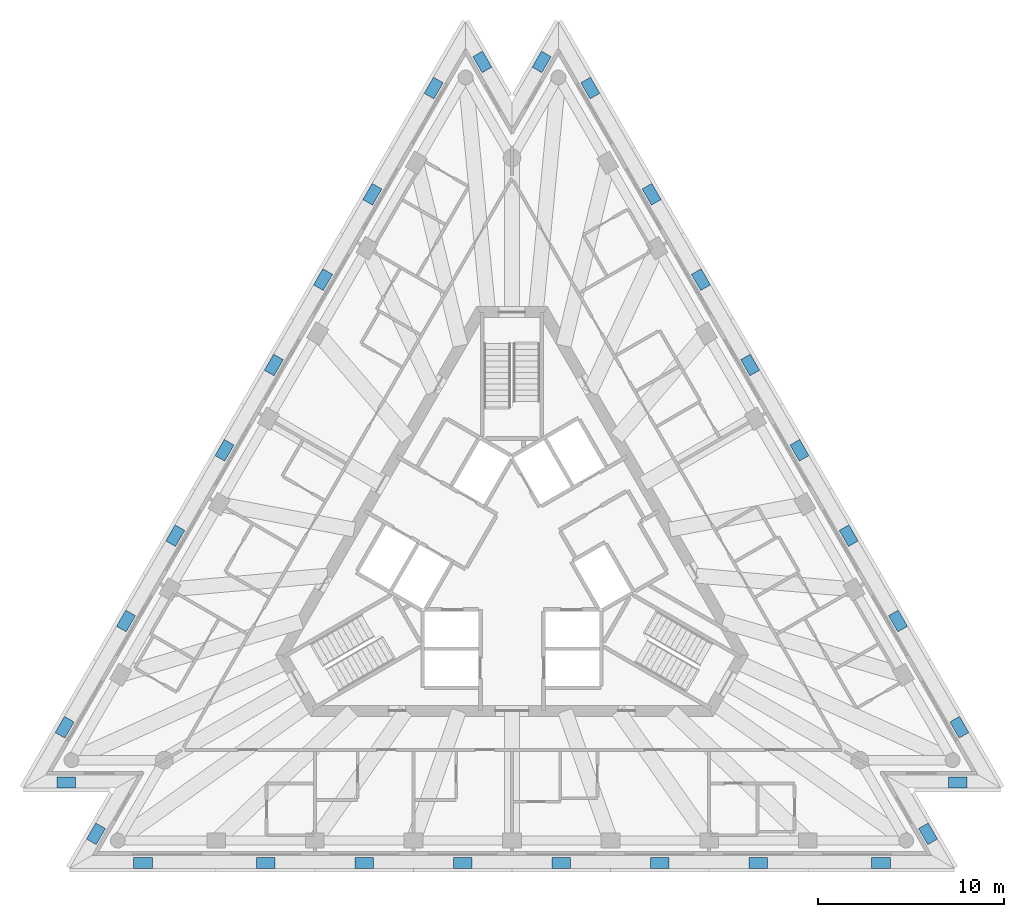
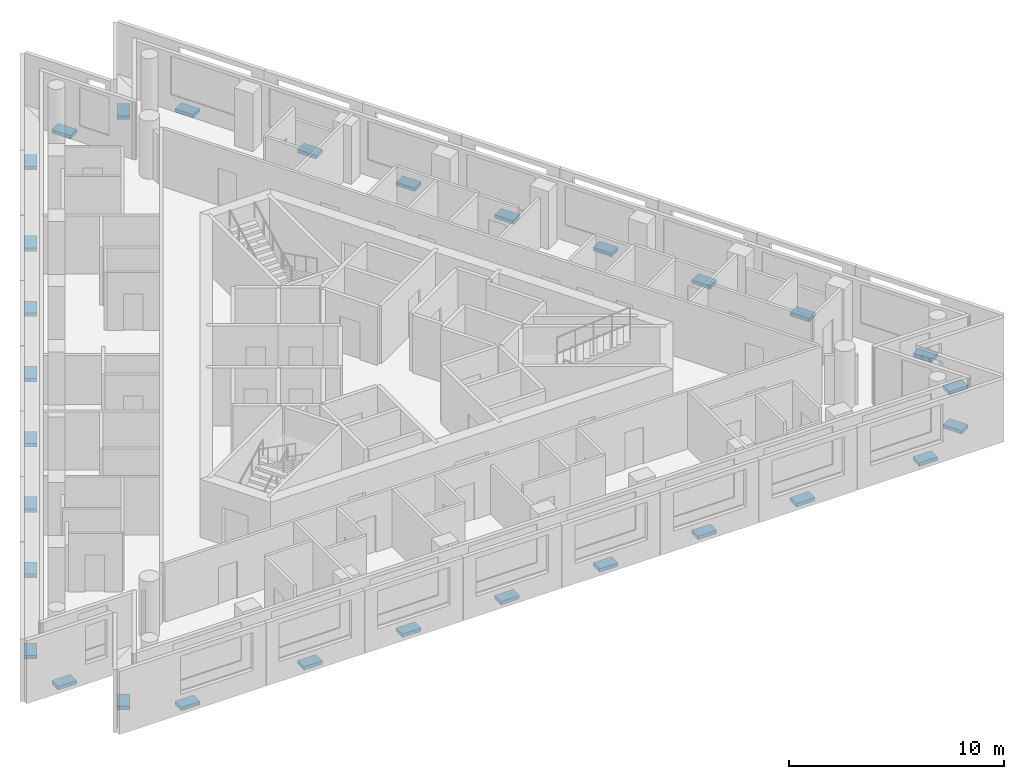
# One storey, part 9 of 11: 30 discrete accessories.
"""IFC4 building model written with IfcOpenShell, lengths in metres."""

import ifcopenshell
import ifcopenshell.guid

model = None  # the IFC model being written
_history = None  # IfcOwnerHistory: only IFC2X3 demands one
_inside = {}  # id of a spatial element -> (the spatial element, [elements in it])
_under = {}  # id of a project, library or spatial element -> (it, [spatial elements below it])
_declared = {}  # id of a project -> (the project, [libraries it declares])
_typed = {}  # id of a type object -> (the type object, [elements of that type])
_made_of = {}  # id of a material, layer set ... -> (it, [elements and type objects made of it])


def new_model(schema):
    """Start an empty IFC model of exactly this schema.

    Asked for "IFC4X3", IfcOpenShell would pick the latest addendum, in which some entities
    have other attributes; the version numbers below select the first issue.
    IFC2X3 requires an IfcOwnerHistory on every rooted entity: one is made here for all.
    """
    global model, _history
    if schema == "IFC4X3":
        model = ifcopenshell.file(schema_version=(4, 3, 0, 0))
    else:
        model = ifcopenshell.file(schema=schema)
    _inside.clear()
    _under.clear()
    _declared.clear()
    _typed.clear()
    _made_of.clear()
    _history = None
    if model.schema == "IFC2X3":
        org = make("IfcOrganization", Name="unknown")
        user = make(
            "IfcPersonAndOrganization",
            ThePerson=make("IfcPerson", FamilyName="unknown"),
            TheOrganization=org,
        )
        app = make(
            "IfcApplication",
            ApplicationDeveloper=org,
            Version="unknown",
            ApplicationFullName="unknown",
            ApplicationIdentifier="unknown",
        )
        _history = make(
            "IfcOwnerHistory",
            OwningUser=user,
            OwningApplication=app,
            ChangeAction="ADDED",
            CreationDate=0,
        )
    return model


def make(cls, **values):
    """One entity of the class cls with the attributes given. An attribute that is None is left unset."""
    return model.create_entity(
        cls, **{name: value for name, value in values.items() if value is not None}
    )


def rooted(cls, **values):
    """An entity with a GlobalId (a new one), such as an element, a storey or a relation."""
    return make(cls, GlobalId=ifcopenshell.guid.new(), OwnerHistory=_history, **values)


def si_unit(unit_type, name, prefix=None):
    """IfcSIUnit, for example si_unit("LENGTHUNIT", "METRE", prefix="MILLI")."""
    return make("IfcSIUnit", UnitType=unit_type, Prefix=prefix, Name=name)


def assignment(units):
    """IfcUnitAssignment: the units of a project."""
    return None if units is None else make("IfcUnitAssignment", Units=units)


def point(xyz):
    """IfcCartesianPoint."""
    return None if xyz is None else make("IfcCartesianPoint", Coordinates=xyz)


def direction(xyz):
    """IfcDirection."""
    return None if xyz is None else make("IfcDirection", DirectionRatios=xyz)


def frame(location, z_axis=None, x_axis=None):
    """IfcAxis2Placement3D, a coordinate frame: its origin and axes. An axis left out is left unset."""
    return make(
        "IfcAxis2Placement3D",
        Location=point(location),
        Axis=direction(z_axis),
        RefDirection=direction(x_axis),
    )


def frame_2d(location, x_axis=None):
    """IfcAxis2Placement2D, a coordinate frame in the plane: its origin and x axis."""
    return make(
        "IfcAxis2Placement2D", Location=point(location), RefDirection=direction(x_axis)
    )


def origin():
    """The frame at (0, 0, 0) with its axes left unset."""
    return frame((0.0, 0.0, 0.0))


def origin_2d():
    """The frame at (0, 0) in the plane with its x axis left unset."""
    return frame_2d((0.0, 0.0))


def place(relative_to, where):
    """IfcLocalPlacement: puts the frame where relative to a parent placement (None: the world)."""
    return make(
        "IfcLocalPlacement", PlacementRelTo=relative_to, RelativePlacement=where
    )


def context(
    kind, dimensions, precision=None, world=None, true_north=None, identifier=None
):
    """IfcGeometricRepresentationContext, for example the 3D "Model" context."""
    return make(
        "IfcGeometricRepresentationContext",
        ContextIdentifier=identifier,
        ContextType=kind,
        CoordinateSpaceDimension=dimensions,
        Precision=precision,
        WorldCoordinateSystem=world,
        TrueNorth=true_north,
    )


def subcontext(parent, identifier, kind, view, scale=None):
    """IfcGeometricRepresentationSubContext, for example "Body" below "Model"."""
    return make(
        "IfcGeometricRepresentationSubContext",
        ContextIdentifier=identifier,
        ContextType=kind,
        ParentContext=parent,
        TargetScale=scale,
        TargetView=view,
    )


def project(units=None, contexts=None):
    """IfcProject with its units and contexts."""
    return rooted(
        "IfcProject",
        Name="project",
        RepresentationContexts=contexts,
        UnitsInContext=assignment(units),
    )


def spatial(cls, under=None, at=None, **own):
    """A site, building, storey or space (cls), placed at a placement, below another one or the project."""
    s = rooted(cls, ObjectPlacement=at, **own)
    if under is not None:
        _under.setdefault(under.id(), (under, []))[1].append(s)
    return s


def profile(cls, at=None, kind="AREA", **sizes):
    """A parametric profile (cls). Its sizes go by their IFC names, for example OverallWidth=200.0."""
    return make(cls, ProfileType=kind, Position=at, **sizes)


def rectangle(**sizes):
    """IfcRectangleProfileDef."""
    return profile("IfcRectangleProfileDef", **sizes)


def extrude(swept, where, along, depth):
    """IfcExtrudedAreaSolid: the profile swept, set in the frame where, extruded along a direction by depth."""
    return make(
        "IfcExtrudedAreaSolid",
        SweptArea=swept,
        Position=where,
        ExtrudedDirection=direction(along),
        Depth=depth,
    )


def shape(context_of_items, identifier, shape_type, items):
    """IfcShapeRepresentation: the items that make up one representation, for example the "Body"."""
    return make(
        "IfcShapeRepresentation",
        ContextOfItems=context_of_items,
        RepresentationIdentifier=identifier,
        RepresentationType=shape_type,
        Items=items,
    )


def material(Name=None, Category=None):
    """IfcMaterial."""
    return make("IfcMaterial", Name=Name, Category=Category)


def made_of(thing, what):
    """Note that an element or type object is made of a material, layer set ...; save() writes the relation."""
    if what is not None:
        _made_of.setdefault(what.id(), (what, []))[1].append(thing)
    return thing


def type_object(cls, material=None, **own):
    """A type object (cls), such as IfcWallType, which elements share."""
    return made_of(rooted(cls, **own), material)


def element(
    cls,
    number,
    at=None,
    inside=None,
    cuts=None,
    type_object=None,
    material=None,
    context=None,
    identifier="Body",
    shape_type=None,
    held_by="IfcProductDefinitionShape",
    body=None,
    shapes=None,
    **own,
):
    """One element of the class cls, such as IfcWall. Its Tag is "e" and its number.

    at: its placement. inside: the storey or other place that contains it. cuts: it is an
    opening in that element (IfcRelVoidsElement). A single representation is given by context,
    identifier, shape_type and body (its items); several are given by shapes. held_by: the class
    of the entity that holds the representations. save() writes the other relations.
    """
    e = rooted(cls, Tag="e%d" % number, ObjectPlacement=at, **own)
    if body is not None:
        shapes = [shape(context, identifier, shape_type, body)]
    if shapes is not None:
        e.Representation = make(held_by, Representations=shapes)
    if inside is not None:
        _inside.setdefault(inside.id(), (inside, []))[1].append(e)
    if cuts is not None:
        rooted(
            "IfcRelVoidsElement", RelatingBuildingElement=cuts, RelatedOpeningElement=e
        )
    if type_object is not None:
        _typed.setdefault(type_object.id(), (type_object, []))[1].append(e)
    return made_of(e, material)


def aggregate(whole, parts):
    """IfcRelAggregates: a whole, such as a stair, and the parts it consists of."""
    return rooted("IfcRelAggregates", RelatingObject=whole, RelatedObjects=parts)


def save(model, path):
    """Write the relations noted so far, then the file.

    IfcRelAggregates (storeys below a building ...), IfcRelContainedInSpatialStructure (elements
    in a storey), IfcRelDefinesByType, IfcRelAssociatesMaterial and IfcRelDeclares: one each for
    every whole, place, type object, material and project.
    """
    for whole, parts in _under.values():
        aggregate(whole, parts)
    for where, things in _inside.values():
        rooted(
            "IfcRelContainedInSpatialStructure",
            RelatedElements=things,
            RelatingStructure=where,
        )
    for kind, things in _typed.values():
        rooted("IfcRelDefinesByType", RelatedObjects=things, RelatingType=kind)
    for what, things in _made_of.values():
        rooted("IfcRelAssociatesMaterial", RelatedObjects=things, RelatingMaterial=what)
    for by, libraries in _declared.values():
        rooted("IfcRelDeclares", RelatingContext=by, RelatedDefinitions=libraries)
    model.write(path)


model = new_model("IFC4")

# Units and contexts
model_context = context("Model", 3, precision=1e-05, world=origin(), true_north=direction((0.0, 1.0)))
body_context = subcontext(model_context, "Body", "Model", "MODEL_VIEW")
ifc_project = project(units=[si_unit("LENGTHUNIT", "METRE"), si_unit("AREAUNIT", "SQUARE_METRE"), si_unit("VOLUMEUNIT", "CUBIC_METRE"), si_unit("PLANEANGLEUNIT", "RADIAN"), si_unit("MASSUNIT", "GRAM", prefix="KILO")], contexts=[model_context])

# Site, building, storey
site_placement = place(None, origin())
site = spatial("IfcSite", under=ifc_project, at=site_placement, CompositionType="ELEMENT")
building_placement = place(site_placement, origin())
building = spatial("IfcBuilding", under=site, at=building_placement, Name="Triada Interchange Tower", CompositionType="ELEMENT")
storey_placement = place(building_placement, frame((0.0, 0.0, 307.89990234375)))
storey = spatial("IfcBuildingStorey", under=building, at=storey_placement, Name="L73", CompositionType="ELEMENT", Elevation=307.89990234375)

# Discrete accessories
ifc_material = material(Name="Steel S355", Category="steel")
discrete_accessory_type = type_object("IfcDiscreteAccessoryType", Name="Steel bracket outer skin", PredefinedType="BRACKET", material=ifc_material)
for number, where, z_axis, x_axis, name in (
    (1, (-4.212890625, 25.35693359375, -0.27001953125), (0.0, 0.0, 1.0), (-0.866027201468, 0.499996886308, 0.0), "Bracket L73 01"),
    (2, (-7.512939453125, 19.64111328125, -0.27001953125), (0.0, 0.0, 1.0), (-0.866027201468, 0.499996886308, 0.0), "Bracket L73 02"),
    (3, (-10.1640625, 15.050048828125, -0.27001953125), (0.0, 0.0, 1.0), (-0.866027201468, 0.499996886308, 0.0), "Bracket L73 03"),
    (4, (-12.81396484375, 10.458984375, -0.27001953125), (0.0, 0.0, 1.0), (-0.866027201468, 0.499996886308, 0.0), "Bracket L73 04"),
    (5, (-15.465087890625, 5.867919921875, -0.27001953125), (0.0, 0.0, 1.0), (-0.866027201468, 0.499996886308, 0.0), "Bracket L73 05"),
    (6, (-18.114990234375, 1.277099609375, -0.27001953125), (0.0, 0.0, 1.0), (-0.866027201468, 0.499996886308, 0.0), "Bracket L73 06"),
    (7, (-20.76611328125, -3.31396484375, -0.27001953125), (0.0, 0.0, 1.0), (-0.866027201468, 0.499996886308, 0.0), "Bracket L73 07"),
    (8, (-24.06591796875, -9.029052734375, -0.27001953125), (0.0, 0.0, 1.0), (-0.866027201468, 0.499996886308, 0.0), "Bracket L73 08"),
    (9, (-23.97509765625, -12.0, -0.27001953125), (0.0, 0.0, 1.0), (0.0, -1.0, 0.0), "Bracket L73 09"),
    (10, (-22.3798828125, -14.762939453125, -0.27001953125), (0.0, 0.0, 1.0), (-0.86595559963, 0.500120884856, 0.0), "Bracket L73 10"),
    (11, (-19.85205078125, -16.326904296875, -0.27001953125), (0.0, 0.0, 1.0), (0.0, -1.0, 0.0), "Bracket L73 11"),
    (12, (-13.2529296875, -16.326904296875, -0.27001953125), (0.0, 0.0, 1.0), (0.0, -1.0, 0.0), "Bracket L73 12"),
    (13, (-7.950927734375, -16.326904296875, -0.27001953125), (0.0, 0.0, 1.0), (0.0, -1.0, 0.0), "Bracket L73 13"),
    (14, (-2.64990234375, -16.326904296875, -0.27001953125), (0.0, 0.0, 1.0), (0.0, -1.0, 0.0), "Bracket L73 14"),
    (15, (2.65087890625, -16.326904296875, -0.27001953125), (0.0, 0.0, 1.0), (0.0, -1.0, 0.0), "Bracket L73 15"),
    (16, (7.951904296875, -16.326904296875, -0.27001953125), (0.0, 0.0, 1.0), (0.0, -1.0, 0.0), "Bracket L73 16"),
    (17, (13.2529296875, -16.326904296875, -0.27001953125), (0.0, 0.0, 1.0), (0.0, -1.0, 0.0), "Bracket L73 17"),
    (18, (19.85205078125, -16.326904296875, -0.27001953125), (0.0, 0.0, 1.0), (0.0, -1.0, 0.0), "Bracket L73 18"),
    (19, (22.3798828125, -14.762939453125, -0.27001953125), (0.0, 0.0, 1.0), (0.86595559963, 0.500120884856, 0.0), "Bracket L73 19"),
    (20, (23.97509765625, -12.0, -0.27001953125), (0.0, 0.0, 1.0), (0.0, -1.0, 0.0), "Bracket L73 20"),
    (21, (24.06591796875, -9.029052734375, -0.27001953125), (0.0, 0.0, 1.0), (0.866027201468, 0.499996886308, 0.0), "Bracket L73 21"),
    (22, (20.76611328125, -3.31396484375, -0.27001953125), (0.0, 0.0, 1.0), (0.866027201468, 0.499996886308, 0.0), "Bracket L73 22"),
    (23, (18.114990234375, 1.277099609375, -0.27001953125), (0.0, 0.0, 1.0), (0.866027201468, 0.499996886308, 0.0), "Bracket L73 23"),
    (24, (15.465087890625, 5.867919921875, -0.27001953125), (0.0, 0.0, 1.0), (0.866027201468, 0.499996886308, 0.0), "Bracket L73 24"),
    (25, (12.81396484375, 10.458984375, -0.27001953125), (0.0, 0.0, 1.0), (0.866027201468, 0.499996886308, 0.0), "Bracket L73 25"),
    (26, (10.1640625, 15.050048828125, -0.27001953125), (0.0, 0.0, 1.0), (0.866027201468, 0.499996886308, 0.0), "Bracket L73 26"),
    (27, (7.512939453125, 19.64111328125, -0.27001953125), (0.0, 0.0, 1.0), (0.866027201468, 0.499996886308, 0.0), "Bracket L73 27"),
    (28, (4.212890625, 25.35693359375, -0.27001953125), (0.0, 0.0, 1.0), (0.866027201468, 0.499996886308, 0.0), "Bracket L73 28"),
    (29, (1.594970703125, 26.762939453125, -0.27001953125), (0.0, 0.0, 1.0), (-0.866092285778, 0.499884139092, 0.0), "Bracket L73 29"),
    (30, (-1.594970703125, 26.762939453125, -0.27001953125), (0.0, 0.0, 1.0), (0.866092285778, 0.499884139092, 0.0), "Bracket L73 30"),
):
    element("IfcDiscreteAccessory", number, at=place(storey_placement, frame(where, z_axis=z_axis, x_axis=x_axis)), inside=storey, type_object=discrete_accessory_type, Name=name, PredefinedType="BRACKET", context=body_context, shape_type="SweptSolid", body=[
        extrude(rectangle(XDim=0.60009765625, YDim=1.0, at=origin_2d()), origin(), (0.0, 0.0, 1.0), 0.199951171875),
    ])

save(model, "model.ifc")
